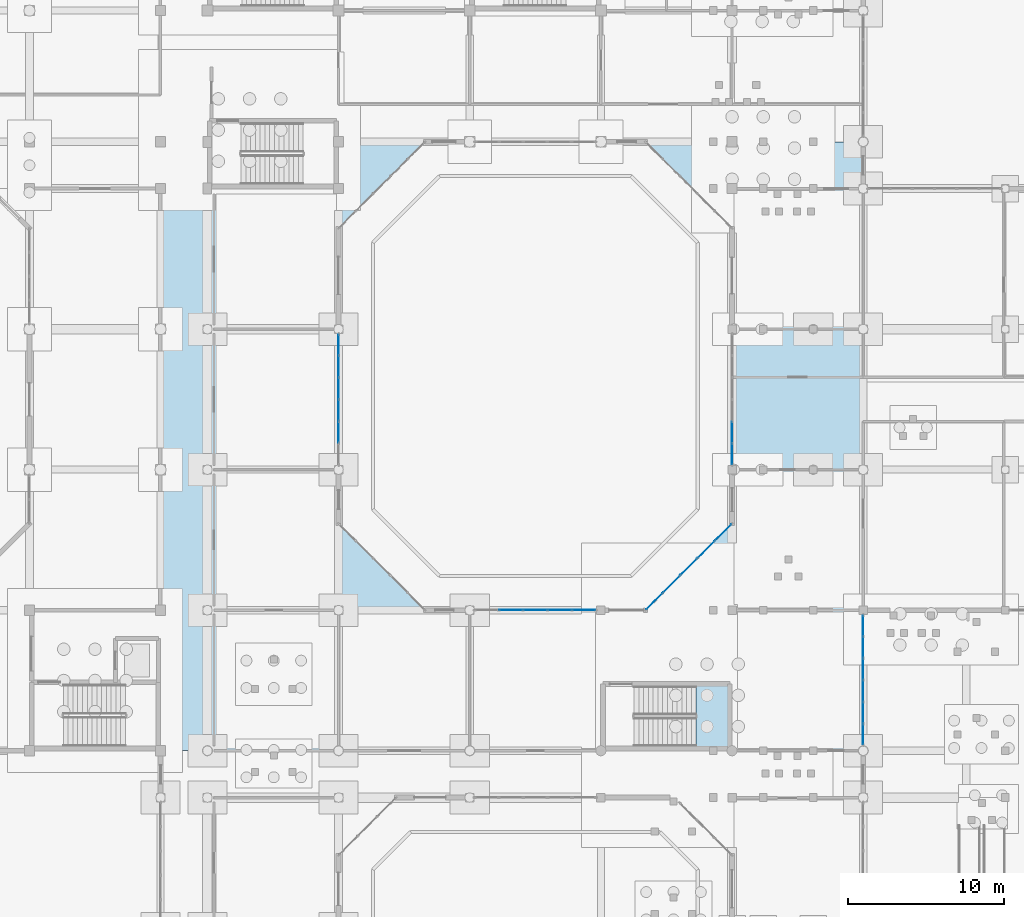
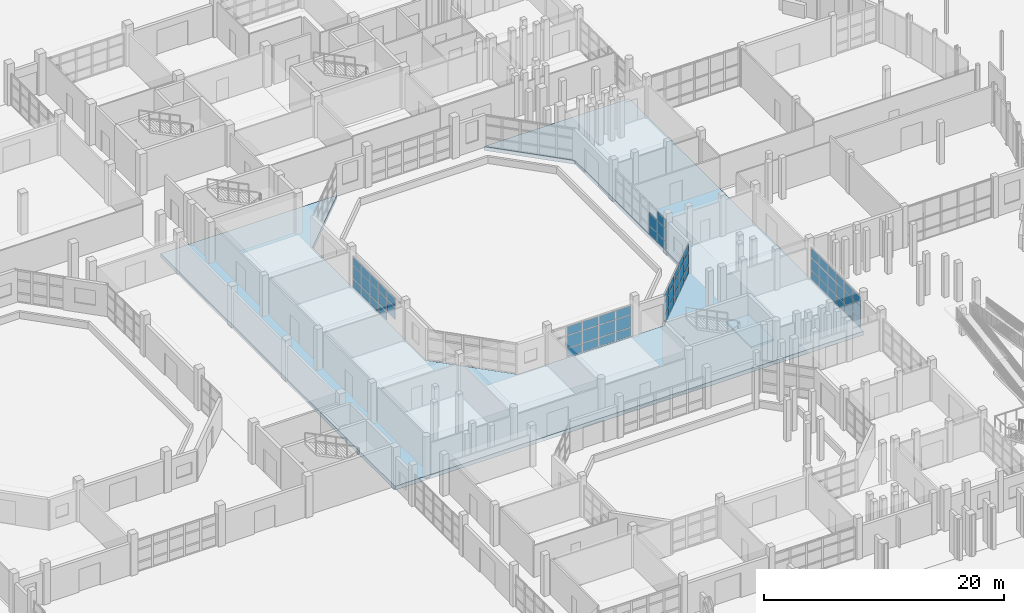
# One storey, part 47 of 88: 64 plates, 2 slabs, 6 elements without a shape of their own.
"""IFC4 building model written with IfcOpenShell, lengths in metres."""

from ifc_helpers import new_model, si_unit, direction, frame, origin, origin_2d, place, context, subcontext, project, spatial, polyline, rectangle, outline, extrude, material, layer, layer_set, type_object, element, aggregate, save


model = new_model("IFC4")

# Units and contexts
model_context = context("Model", 3, precision=1e-05, world=origin(), true_north=direction((0.0, 1.0)))
body_context = subcontext(model_context, "Body", "Model", "MODEL_VIEW")
ifc_project = project(units=[si_unit("LENGTHUNIT", "METRE"), si_unit("AREAUNIT", "SQUARE_METRE"), si_unit("VOLUMEUNIT", "CUBIC_METRE"), si_unit("PLANEANGLEUNIT", "RADIAN"), si_unit("MASSUNIT", "GRAM", prefix="KILO")], contexts=[model_context])

# Site, building, storey
site_placement = place(None, origin())
site = spatial("IfcSite", under=ifc_project, at=site_placement, CompositionType="ELEMENT")
building_placement = place(site_placement, origin())
building = spatial("IfcBuilding", under=site, at=building_placement, Name="Vanh Quang Courtyard School", CompositionType="ELEMENT")
storey_placement = place(building_placement, origin())
storey = spatial("IfcBuildingStorey", under=building, at=storey_placement, Name="L00", CompositionType="ELEMENT", Elevation=0.0)

# Curtain wall, plates
ifc_material_1 = material(Name="Thermally broken aluminium unitised curtain wall", Category="aluminium")
curtain_wall_type_1 = type_object("IfcCurtainWallType", Name="CW-SYS-06", PredefinedType="NOTDEFINED", material=ifc_material_1)
curtain_wall_1_placement = place(storey_placement, origin())
curtain_wall_1 = element("IfcCurtainWall", 1, at=curtain_wall_1_placement, inside=storey, type_object=curtain_wall_type_1, Name="Curtain Wall CW-06 (L00)", PredefinedType="NOTDEFINED")
ifc_material_2 = material(Name="Low-E laminated double glazing", Category="glass")
ifc_layer_1 = layer(ifc_material_2, 0.028076171875)
ifc_layer_set_1 = layer_set([ifc_layer_1], Name="Low-E laminated double glazing")
plate_type_1 = type_object("IfcPlateType", Name="CW-PNL-28", PredefinedType="CURTAIN_PANEL", material=ifc_layer_set_1)
plate_1_placement = place(storey_placement, frame((119.39990234375, 40.40087890625, 0.06982421875), z_axis=(0.0, 0.0, 1.0), x_axis=(0.0, -1.0, 0.0)))
plate_1 = element("IfcPlate", 2, at=plate_1_placement, type_object=plate_type_1, Name="CW-06 panel 1.1", PredefinedType="CURTAIN_PANEL", context=body_context, shape_type="SweptSolid", body=[
    extrude(rectangle(XDim=1.292236328125, YDim=0.028076171875, at=origin_2d()), origin(), (0.0, 0.0, 1.0), 0.844970703125),
])
plate_2_placement = place(storey_placement, frame((119.39990234375, 40.40087890625, 0.985107421875), z_axis=(0.0, 0.0, 1.0), x_axis=(0.0, -1.0, 0.0)))
plate_2 = element("IfcPlate", 3, at=plate_2_placement, type_object=plate_type_1, Name="CW-06 panel 1.2", PredefinedType="CURTAIN_PANEL", context=body_context, shape_type="SweptSolid", body=[
    extrude(rectangle(XDim=1.292236328125, YDim=0.028076171875, at=origin_2d()), origin(), (0.0, 0.0, 1.0), 1.22998046875),
])
plate_3_placement = place(storey_placement, frame((119.39990234375, 40.40087890625, 2.28515625), z_axis=(0.0, 0.0, 1.0), x_axis=(0.0, -1.0, 0.0)))
plate_3 = element("IfcPlate", 4, at=plate_3_placement, type_object=plate_type_1, Name="CW-06 panel 1.3", PredefinedType="CURTAIN_PANEL", context=body_context, shape_type="SweptSolid", body=[
    extrude(rectangle(XDim=1.292236328125, YDim=0.028076171875, at=origin_2d()), origin(), (0.0, 0.0, 1.0), 0.925048828125),
])
plate_4_placement = place(storey_placement, frame((119.39990234375, 39.02099609375, 0.06982421875), z_axis=(0.0, 0.0, 1.0), x_axis=(0.0, -1.0, 0.0)))
plate_4 = element("IfcPlate", 5, at=plate_4_placement, type_object=plate_type_1, Name="CW-06 panel 2.1", PredefinedType="CURTAIN_PANEL", context=body_context, shape_type="SweptSolid", body=[
    extrude(rectangle(XDim=1.327392578125, YDim=0.028076171875, at=origin_2d()), origin(), (0.0, 0.0, 1.0), 0.844970703125),
])
plate_5_placement = place(storey_placement, frame((119.39990234375, 39.02099609375, 0.985107421875), z_axis=(0.0, 0.0, 1.0), x_axis=(0.0, -1.0, 0.0)))
plate_5 = element("IfcPlate", 6, at=plate_5_placement, type_object=plate_type_1, Name="CW-06 panel 2.2", PredefinedType="CURTAIN_PANEL", context=body_context, shape_type="SweptSolid", body=[
    extrude(rectangle(XDim=1.327392578125, YDim=0.028076171875, at=origin_2d()), origin(), (0.0, 0.0, 1.0), 1.22998046875),
])
plate_6_placement = place(storey_placement, frame((119.39990234375, 39.02099609375, 2.28515625), z_axis=(0.0, 0.0, 1.0), x_axis=(0.0, -1.0, 0.0)))
plate_6 = element("IfcPlate", 7, at=plate_6_placement, type_object=plate_type_1, Name="CW-06 panel 2.3", PredefinedType="CURTAIN_PANEL", context=body_context, shape_type="SweptSolid", body=[
    extrude(rectangle(XDim=1.327392578125, YDim=0.028076171875, at=origin_2d()), origin(), (0.0, 0.0, 1.0), 0.925048828125),
])
plate_7_placement = place(storey_placement, frame((119.39990234375, 37.623779296875, 0.06982421875), z_axis=(0.0, 0.0, 1.0), x_axis=(0.0, -1.0, 0.0)))
plate_7 = element("IfcPlate", 8, at=plate_7_placement, type_object=plate_type_1, Name="CW-06 panel 3.1", PredefinedType="CURTAIN_PANEL", context=body_context, shape_type="SweptSolid", body=[
    extrude(rectangle(XDim=1.327392578125, YDim=0.028076171875, at=origin_2d()), origin(), (0.0, 0.0, 1.0), 0.844970703125),
])
plate_8_placement = place(storey_placement, frame((119.39990234375, 37.623779296875, 0.985107421875), z_axis=(0.0, 0.0, 1.0), x_axis=(0.0, -1.0, 0.0)))
plate_8 = element("IfcPlate", 9, at=plate_8_placement, type_object=plate_type_1, Name="CW-06 panel 3.2", PredefinedType="CURTAIN_PANEL", context=body_context, shape_type="SweptSolid", body=[
    extrude(rectangle(XDim=1.327392578125, YDim=0.028076171875, at=origin_2d()), origin(), (0.0, 0.0, 1.0), 1.22998046875),
])
plate_9_placement = place(storey_placement, frame((119.39990234375, 37.623779296875, 2.28515625), z_axis=(0.0, 0.0, 1.0), x_axis=(0.0, -1.0, 0.0)))
plate_9 = element("IfcPlate", 10, at=plate_9_placement, type_object=plate_type_1, Name="CW-06 panel 3.3", PredefinedType="CURTAIN_PANEL", context=body_context, shape_type="SweptSolid", body=[
    extrude(rectangle(XDim=1.327392578125, YDim=0.028076171875, at=origin_2d()), origin(), (0.0, 0.0, 1.0), 0.925048828125),
])
plate_10_placement = place(storey_placement, frame((119.39990234375, 36.226318359375, 0.06982421875), z_axis=(0.0, 0.0, 1.0), x_axis=(0.0, -1.0, 0.0)))
plate_10 = element("IfcPlate", 11, at=plate_10_placement, type_object=plate_type_1, Name="CW-06 panel 4.1", PredefinedType="CURTAIN_PANEL", context=body_context, shape_type="SweptSolid", body=[
    extrude(rectangle(XDim=1.327392578125, YDim=0.028076171875, at=origin_2d()), origin(), (0.0, 0.0, 1.0), 0.844970703125),
])
plate_11_placement = place(storey_placement, frame((119.39990234375, 36.226318359375, 0.985107421875), z_axis=(0.0, 0.0, 1.0), x_axis=(0.0, -1.0, 0.0)))
plate_11 = element("IfcPlate", 12, at=plate_11_placement, type_object=plate_type_1, Name="CW-06 panel 4.2", PredefinedType="CURTAIN_PANEL", context=body_context, shape_type="SweptSolid", body=[
    extrude(rectangle(XDim=1.327392578125, YDim=0.028076171875, at=origin_2d()), origin(), (0.0, 0.0, 1.0), 1.22998046875),
])
plate_12_placement = place(storey_placement, frame((119.39990234375, 36.226318359375, 2.28515625), z_axis=(0.0, 0.0, 1.0), x_axis=(0.0, -1.0, 0.0)))
plate_12 = element("IfcPlate", 13, at=plate_12_placement, type_object=plate_type_1, Name="CW-06 panel 4.3", PredefinedType="CURTAIN_PANEL", context=body_context, shape_type="SweptSolid", body=[
    extrude(rectangle(XDim=1.327392578125, YDim=0.028076171875, at=origin_2d()), origin(), (0.0, 0.0, 1.0), 0.925048828125),
])
plate_13_placement = place(storey_placement, frame((119.39990234375, 34.8291015625, 0.06982421875), z_axis=(0.0, 0.0, 1.0), x_axis=(0.0, -1.0, 0.0)))
plate_13 = element("IfcPlate", 14, at=plate_13_placement, type_object=plate_type_1, Name="CW-06 panel 5.1", PredefinedType="CURTAIN_PANEL", context=body_context, shape_type="SweptSolid", body=[
    extrude(rectangle(XDim=1.327392578125, YDim=0.028076171875, at=origin_2d()), origin(), (0.0, 0.0, 1.0), 0.844970703125),
])
plate_14_placement = place(storey_placement, frame((119.39990234375, 34.8291015625, 0.985107421875), z_axis=(0.0, 0.0, 1.0), x_axis=(0.0, -1.0, 0.0)))
plate_14 = element("IfcPlate", 15, at=plate_14_placement, type_object=plate_type_1, Name="CW-06 panel 5.2", PredefinedType="CURTAIN_PANEL", context=body_context, shape_type="SweptSolid", body=[
    extrude(rectangle(XDim=1.327392578125, YDim=0.028076171875, at=origin_2d()), origin(), (0.0, 0.0, 1.0), 1.22998046875),
])
plate_15_placement = place(storey_placement, frame((119.39990234375, 34.8291015625, 2.28515625), z_axis=(0.0, 0.0, 1.0), x_axis=(0.0, -1.0, 0.0)))
plate_15 = element("IfcPlate", 16, at=plate_15_placement, type_object=plate_type_1, Name="CW-06 panel 5.3", PredefinedType="CURTAIN_PANEL", context=body_context, shape_type="SweptSolid", body=[
    extrude(rectangle(XDim=1.327392578125, YDim=0.028076171875, at=origin_2d()), origin(), (0.0, 0.0, 1.0), 0.925048828125),
])
plate_16_placement = place(storey_placement, frame((119.39990234375, 33.44921875, 0.06982421875), z_axis=(0.0, 0.0, 1.0), x_axis=(0.0, -1.0, 0.0)))
plate_16 = element("IfcPlate", 17, at=plate_16_placement, type_object=plate_type_1, Name="CW-06 panel 6.1", PredefinedType="CURTAIN_PANEL", context=body_context, shape_type="SweptSolid", body=[
    extrude(rectangle(XDim=1.292236328125, YDim=0.028076171875, at=origin_2d()), origin(), (0.0, 0.0, 1.0), 0.844970703125),
])
plate_17_placement = place(storey_placement, frame((119.39990234375, 33.44921875, 0.985107421875), z_axis=(0.0, 0.0, 1.0), x_axis=(0.0, -1.0, 0.0)))
plate_17 = element("IfcPlate", 18, at=plate_17_placement, type_object=plate_type_1, Name="CW-06 panel 6.2", PredefinedType="CURTAIN_PANEL", context=body_context, shape_type="SweptSolid", body=[
    extrude(rectangle(XDim=1.292236328125, YDim=0.028076171875, at=origin_2d()), origin(), (0.0, 0.0, 1.0), 1.22998046875),
])
plate_18_placement = place(storey_placement, frame((119.39990234375, 33.44921875, 2.28515625), z_axis=(0.0, 0.0, 1.0), x_axis=(0.0, -1.0, 0.0)))
plate_18 = element("IfcPlate", 19, at=plate_18_placement, type_object=plate_type_1, Name="CW-06 panel 6.3", PredefinedType="CURTAIN_PANEL", context=body_context, shape_type="SweptSolid", body=[
    extrude(rectangle(XDim=1.292236328125, YDim=0.028076171875, at=origin_2d()), origin(), (0.0, 0.0, 1.0), 0.925048828125),
])
aggregate(curtain_wall_1, [plate_1, plate_2, plate_3, plate_4, plate_5, plate_6, plate_7, plate_8, plate_9, plate_10, plate_11, plate_12, plate_13, plate_14, plate_15, plate_16, plate_17, plate_18])

curtain_wall_type_2 = type_object("IfcCurtainWallType", Name="CW-SYS-17", PredefinedType="NOTDEFINED", material=ifc_material_1)
curtain_wall_2_placement = place(storey_placement, origin())
curtain_wall_2 = element("IfcCurtainWall", 20, at=curtain_wall_2_placement, inside=storey, type_object=curtain_wall_type_2, Name="Curtain Wall CW-17 (L00)", PredefinedType="NOTDEFINED")
plate_19_placement = place(storey_placement, frame((106.024658203125, 41.968505859375, 0.080078125), z_axis=(0.0, 0.0, 1.0), x_axis=(0.707106781187, 0.707106781187, 0.0)))
plate_19 = element("IfcPlate", 21, at=plate_19_placement, type_object=plate_type_1, Name="CW-17 panel 1.1", PredefinedType="CURTAIN_PANEL", context=body_context, shape_type="SweptSolid", body=[
    extrude(rectangle(XDim=1.447998046875, YDim=0.028076171875, at=origin_2d()), origin(), (0.0, 0.0, 1.0), 0.830078125),
])
plate_20_placement = place(storey_placement, frame((106.024658203125, 41.968505859375, 0.990234375), z_axis=(0.0, 0.0, 1.0), x_axis=(0.707106781187, 0.707106781187, 0.0)))
plate_20 = element("IfcPlate", 22, at=plate_20_placement, type_object=plate_type_1, Name="CW-17 panel 1.2", PredefinedType="CURTAIN_PANEL", context=body_context, shape_type="SweptSolid", body=[
    extrude(rectangle(XDim=1.447998046875, YDim=0.028076171875, at=origin_2d()), origin(), (0.0, 0.0, 1.0), 1.219970703125),
])
plate_21_placement = place(storey_placement, frame((106.024658203125, 41.968505859375, 2.2900390625), z_axis=(0.0, 0.0, 1.0), x_axis=(0.707106781187, 0.707106781187, 0.0)))
plate_21 = element("IfcPlate", 23, at=plate_21_placement, type_object=plate_type_1, Name="CW-17 panel 1.3", PredefinedType="CURTAIN_PANEL", context=body_context, shape_type="SweptSolid", body=[
    extrude(rectangle(XDim=1.447998046875, YDim=0.028076171875, at=origin_2d()), origin(), (0.0, 0.0, 1.0), 0.75),
])
plate_22_placement = place(storey_placement, frame((107.119140625, 43.063232421875, 0.080078125), z_axis=(0.0, 0.0, 1.0), x_axis=(0.707106781187, 0.707106781187, 0.0)))
plate_22 = element("IfcPlate", 24, at=plate_22_placement, type_object=plate_type_1, Name="CW-17 panel 2.1", PredefinedType="CURTAIN_PANEL", context=body_context, shape_type="SweptSolid", body=[
    extrude(rectangle(XDim=1.488037109375, YDim=0.028076171875, at=origin_2d()), origin(), (0.0, 0.0, 1.0), 0.830078125),
])
plate_23_placement = place(storey_placement, frame((107.119140625, 43.063232421875, 0.990234375), z_axis=(0.0, 0.0, 1.0), x_axis=(0.707106781187, 0.707106781187, 0.0)))
plate_23 = element("IfcPlate", 25, at=plate_23_placement, type_object=plate_type_1, Name="CW-17 panel 2.2", PredefinedType="CURTAIN_PANEL", context=body_context, shape_type="SweptSolid", body=[
    extrude(rectangle(XDim=1.488037109375, YDim=0.028076171875, at=origin_2d()), origin(), (0.0, 0.0, 1.0), 1.219970703125),
])
plate_24_placement = place(storey_placement, frame((107.119140625, 43.063232421875, 2.2900390625), z_axis=(0.0, 0.0, 1.0), x_axis=(0.707106781187, 0.707106781187, 0.0)))
plate_24 = element("IfcPlate", 26, at=plate_24_placement, type_object=plate_type_1, Name="CW-17 panel 2.3", PredefinedType="CURTAIN_PANEL", context=body_context, shape_type="SweptSolid", body=[
    extrude(rectangle(XDim=1.488037109375, YDim=0.028076171875, at=origin_2d()), origin(), (0.0, 0.0, 1.0), 0.75),
])
plate_25_placement = place(storey_placement, frame((108.22802734375, 44.172119140625, 0.080078125), z_axis=(0.0, 0.0, 1.0), x_axis=(0.707106781187, 0.707106781187, 0.0)))
plate_25 = element("IfcPlate", 27, at=plate_25_placement, type_object=plate_type_1, Name="CW-17 panel 3.1", PredefinedType="CURTAIN_PANEL", context=body_context, shape_type="SweptSolid", body=[
    extrude(rectangle(XDim=1.488037109375, YDim=0.028076171875, at=origin_2d()), origin(), (0.0, 0.0, 1.0), 0.830078125),
])
plate_26_placement = place(storey_placement, frame((108.22802734375, 44.172119140625, 0.990234375), z_axis=(0.0, 0.0, 1.0), x_axis=(0.707106781187, 0.707106781187, 0.0)))
plate_26 = element("IfcPlate", 28, at=plate_26_placement, type_object=plate_type_1, Name="CW-17 panel 3.2", PredefinedType="CURTAIN_PANEL", context=body_context, shape_type="SweptSolid", body=[
    extrude(rectangle(XDim=1.488037109375, YDim=0.028076171875, at=origin_2d()), origin(), (0.0, 0.0, 1.0), 1.219970703125),
])
plate_27_placement = place(storey_placement, frame((108.22802734375, 44.172119140625, 2.2900390625), z_axis=(0.0, 0.0, 1.0), x_axis=(0.707106781187, 0.707106781187, 0.0)))
plate_27 = element("IfcPlate", 29, at=plate_27_placement, type_object=plate_type_1, Name="CW-17 panel 3.3", PredefinedType="CURTAIN_PANEL", context=body_context, shape_type="SweptSolid", body=[
    extrude(rectangle(XDim=1.488037109375, YDim=0.028076171875, at=origin_2d()), origin(), (0.0, 0.0, 1.0), 0.75),
])
plate_28_placement = place(storey_placement, frame((109.3369140625, 45.28076171875, 0.080078125), z_axis=(0.0, 0.0, 1.0), x_axis=(0.707106781187, 0.707106781187, 0.0)))
plate_28 = element("IfcPlate", 30, at=plate_28_placement, type_object=plate_type_1, Name="CW-17 panel 4.1", PredefinedType="CURTAIN_PANEL", context=body_context, shape_type="SweptSolid", body=[
    extrude(rectangle(XDim=1.488037109375, YDim=0.028076171875, at=origin_2d()), origin(), (0.0, 0.0, 1.0), 0.830078125),
])
plate_29_placement = place(storey_placement, frame((109.3369140625, 45.28076171875, 0.990234375), z_axis=(0.0, 0.0, 1.0), x_axis=(0.707106781187, 0.707106781187, 0.0)))
plate_29 = element("IfcPlate", 31, at=plate_29_placement, type_object=plate_type_1, Name="CW-17 panel 4.2", PredefinedType="CURTAIN_PANEL", context=body_context, shape_type="SweptSolid", body=[
    extrude(rectangle(XDim=1.488037109375, YDim=0.028076171875, at=origin_2d()), origin(), (0.0, 0.0, 1.0), 1.219970703125),
])
plate_30_placement = place(storey_placement, frame((109.3369140625, 45.28076171875, 2.2900390625), z_axis=(0.0, 0.0, 1.0), x_axis=(0.707106781187, 0.707106781187, 0.0)))
plate_30 = element("IfcPlate", 32, at=plate_30_placement, type_object=plate_type_1, Name="CW-17 panel 4.3", PredefinedType="CURTAIN_PANEL", context=body_context, shape_type="SweptSolid", body=[
    extrude(rectangle(XDim=1.488037109375, YDim=0.028076171875, at=origin_2d()), origin(), (0.0, 0.0, 1.0), 0.75),
])
plate_31_placement = place(storey_placement, frame((110.431396484375, 46.37548828125, 0.080078125), z_axis=(0.0, 0.0, 1.0), x_axis=(0.707106781187, 0.707106781187, 0.0)))
plate_31 = element("IfcPlate", 33, at=plate_31_placement, type_object=plate_type_1, Name="CW-17 panel 5.1", PredefinedType="CURTAIN_PANEL", context=body_context, shape_type="SweptSolid", body=[
    extrude(rectangle(XDim=1.447998046875, YDim=0.028076171875, at=origin_2d()), origin(), (0.0, 0.0, 1.0), 0.830078125),
])
plate_32_placement = place(storey_placement, frame((110.431396484375, 46.37548828125, 0.990234375), z_axis=(0.0, 0.0, 1.0), x_axis=(0.707106781187, 0.707106781187, 0.0)))
plate_32 = element("IfcPlate", 34, at=plate_32_placement, type_object=plate_type_1, Name="CW-17 panel 5.2", PredefinedType="CURTAIN_PANEL", context=body_context, shape_type="SweptSolid", body=[
    extrude(rectangle(XDim=1.447998046875, YDim=0.028076171875, at=origin_2d()), origin(), (0.0, 0.0, 1.0), 1.219970703125),
])
plate_33_placement = place(storey_placement, frame((110.431396484375, 46.37548828125, 2.2900390625), z_axis=(0.0, 0.0, 1.0), x_axis=(0.707106781187, 0.707106781187, 0.0)))
plate_33 = element("IfcPlate", 35, at=plate_33_placement, type_object=plate_type_1, Name="CW-17 panel 5.3", PredefinedType="CURTAIN_PANEL", context=body_context, shape_type="SweptSolid", body=[
    extrude(rectangle(XDim=1.447998046875, YDim=0.028076171875, at=origin_2d()), origin(), (0.0, 0.0, 1.0), 0.75),
])
aggregate(curtain_wall_2, [plate_19, plate_20, plate_21, plate_22, plate_23, plate_24, plate_25, plate_26, plate_27, plate_28, plate_29, plate_30, plate_31, plate_32, plate_33])

curtain_wall_type_3 = type_object("IfcCurtainWallType", Name="CW-SYS-01", PredefinedType="NOTDEFINED", material=ifc_material_1)
curtain_wall_3_placement = place(storey_placement, origin())
curtain_wall_3 = element("IfcCurtainWall", 36, at=curtain_wall_3_placement, inside=storey, type_object=curtain_wall_type_3, Name="Curtain Wall CW-01 (L00)", PredefinedType="NOTDEFINED")
ifc_layer_2 = layer(ifc_material_2, 0.031982421875)
ifc_layer_set_2 = layer_set([ifc_layer_2], Name="Low-E laminated double glazing")
plate_type_2 = type_object("IfcPlateType", Name="CW-PNL-32", PredefinedType="CURTAIN_PANEL", material=ifc_layer_set_2)
plate_34_placement = place(storey_placement, frame((96.833251953125, 41.39990234375, 0.06982421875), z_axis=(0.0, 0.0, 1.0), x_axis=(1.0, 0.0, 0.0)))
plate_34 = element("IfcPlate", 37, at=plate_34_placement, type_object=plate_type_2, Name="CW-01 panel 2.1", PredefinedType="CURTAIN_PANEL", context=body_context, shape_type="SweptSolid", body=[
    extrude(rectangle(XDim=1.496826171875, YDim=0.031982421875, at=origin_2d()), origin(), (0.0, 0.0, 1.0), 0.844970703125),
])
plate_35_placement = place(storey_placement, frame((96.833251953125, 41.39990234375, 0.985107421875), z_axis=(0.0, 0.0, 1.0), x_axis=(1.0, 0.0, 0.0)))
plate_35 = element("IfcPlate", 38, at=plate_35_placement, type_object=plate_type_2, Name="CW-01 panel 2.2", PredefinedType="CURTAIN_PANEL", context=body_context, shape_type="SweptSolid", body=[
    extrude(rectangle(XDim=1.496826171875, YDim=0.031982421875, at=origin_2d()), origin(), (0.0, 0.0, 1.0), 1.22998046875),
])
plate_36_placement = place(storey_placement, frame((96.833251953125, 41.39990234375, 2.28515625), z_axis=(0.0, 0.0, 1.0), x_axis=(1.0, 0.0, 0.0)))
plate_36 = element("IfcPlate", 39, at=plate_36_placement, type_object=plate_type_2, Name="CW-01 panel 2.3", PredefinedType="CURTAIN_PANEL", context=body_context, shape_type="SweptSolid", body=[
    extrude(rectangle(XDim=1.496826171875, YDim=0.031982421875, at=origin_2d()), origin(), (0.0, 0.0, 1.0), 0.864990234375),
])
plate_37_placement = place(storey_placement, frame((98.39990234375, 41.39990234375, 0.06982421875), z_axis=(0.0, 0.0, 1.0), x_axis=(1.0, 0.0, 0.0)))
plate_37 = element("IfcPlate", 40, at=plate_37_placement, type_object=plate_type_2, Name="CW-01 panel 3.1", PredefinedType="CURTAIN_PANEL", context=body_context, shape_type="SweptSolid", body=[
    extrude(rectangle(XDim=1.496826171875, YDim=0.031982421875, at=origin_2d()), origin(), (0.0, 0.0, 1.0), 0.844970703125),
])
plate_38_placement = place(storey_placement, frame((98.39990234375, 41.39990234375, 0.985107421875), z_axis=(0.0, 0.0, 1.0), x_axis=(1.0, 0.0, 0.0)))
plate_38 = element("IfcPlate", 41, at=plate_38_placement, type_object=plate_type_2, Name="CW-01 panel 3.2", PredefinedType="CURTAIN_PANEL", context=body_context, shape_type="SweptSolid", body=[
    extrude(rectangle(XDim=1.496826171875, YDim=0.031982421875, at=origin_2d()), origin(), (0.0, 0.0, 1.0), 1.22998046875),
])
plate_39_placement = place(storey_placement, frame((98.39990234375, 41.39990234375, 2.28515625), z_axis=(0.0, 0.0, 1.0), x_axis=(1.0, 0.0, 0.0)))
plate_39 = element("IfcPlate", 42, at=plate_39_placement, type_object=plate_type_2, Name="CW-01 panel 3.3", PredefinedType="CURTAIN_PANEL", context=body_context, shape_type="SweptSolid", body=[
    extrude(rectangle(XDim=1.496826171875, YDim=0.031982421875, at=origin_2d()), origin(), (0.0, 0.0, 1.0), 0.864990234375),
])
plate_40_placement = place(storey_placement, frame((99.966796875, 41.39990234375, 0.06982421875), z_axis=(0.0, 0.0, 1.0), x_axis=(1.0, 0.0, 0.0)))
plate_40 = element("IfcPlate", 43, at=plate_40_placement, type_object=plate_type_2, Name="CW-01 panel 4.1", PredefinedType="CURTAIN_PANEL", context=body_context, shape_type="SweptSolid", body=[
    extrude(rectangle(XDim=1.496826171875, YDim=0.031982421875, at=origin_2d()), origin(), (0.0, 0.0, 1.0), 0.844970703125),
])
plate_41_placement = place(storey_placement, frame((99.966796875, 41.39990234375, 0.985107421875), z_axis=(0.0, 0.0, 1.0), x_axis=(1.0, 0.0, 0.0)))
plate_41 = element("IfcPlate", 44, at=plate_41_placement, type_object=plate_type_2, Name="CW-01 panel 4.2", PredefinedType="CURTAIN_PANEL", context=body_context, shape_type="SweptSolid", body=[
    extrude(rectangle(XDim=1.496826171875, YDim=0.031982421875, at=origin_2d()), origin(), (0.0, 0.0, 1.0), 1.22998046875),
])
plate_42_placement = place(storey_placement, frame((99.966796875, 41.39990234375, 2.28515625), z_axis=(0.0, 0.0, 1.0), x_axis=(1.0, 0.0, 0.0)))
plate_42 = element("IfcPlate", 45, at=plate_42_placement, type_object=plate_type_2, Name="CW-01 panel 4.3", PredefinedType="CURTAIN_PANEL", context=body_context, shape_type="SweptSolid", body=[
    extrude(rectangle(XDim=1.496826171875, YDim=0.031982421875, at=origin_2d()), origin(), (0.0, 0.0, 1.0), 0.864990234375),
])
plate_43_placement = place(storey_placement, frame((101.51611328125, 41.39990234375, 0.06982421875), z_axis=(0.0, 0.0, 1.0), x_axis=(1.0, 0.0, 0.0)))
plate_43 = element("IfcPlate", 46, at=plate_43_placement, type_object=plate_type_2, Name="CW-01 panel 5.1", PredefinedType="CURTAIN_PANEL", context=body_context, shape_type="SweptSolid", body=[
    extrude(rectangle(XDim=1.4619140625, YDim=0.031982421875, at=origin_2d()), origin(), (0.0, 0.0, 1.0), 0.844970703125),
])
plate_44_placement = place(storey_placement, frame((101.51611328125, 41.39990234375, 0.985107421875), z_axis=(0.0, 0.0, 1.0), x_axis=(1.0, 0.0, 0.0)))
plate_44 = element("IfcPlate", 47, at=plate_44_placement, type_object=plate_type_2, Name="CW-01 panel 5.2", PredefinedType="CURTAIN_PANEL", context=body_context, shape_type="SweptSolid", body=[
    extrude(rectangle(XDim=1.4619140625, YDim=0.031982421875, at=origin_2d()), origin(), (0.0, 0.0, 1.0), 1.22998046875),
])
plate_45_placement = place(storey_placement, frame((101.51611328125, 41.39990234375, 2.28515625), z_axis=(0.0, 0.0, 1.0), x_axis=(1.0, 0.0, 0.0)))
plate_45 = element("IfcPlate", 48, at=plate_45_placement, type_object=plate_type_2, Name="CW-01 panel 5.3", PredefinedType="CURTAIN_PANEL", context=body_context, shape_type="SweptSolid", body=[
    extrude(rectangle(XDim=1.4619140625, YDim=0.031982421875, at=origin_2d()), origin(), (0.0, 0.0, 1.0), 0.864990234375),
])
aggregate(curtain_wall_3, [plate_34, plate_35, plate_36, plate_37, plate_38, plate_39, plate_40, plate_41, plate_42, plate_43, plate_44, plate_45])

curtain_wall_type_4 = type_object("IfcCurtainWallType", Name="CW-SYS-18", PredefinedType="NOTDEFINED", material=ifc_material_1)
curtain_wall_4_placement = place(storey_placement, origin())
curtain_wall_4 = element("IfcCurtainWall", 49, at=curtain_wall_4_placement, inside=storey, type_object=curtain_wall_type_4, Name="Curtain Wall CW-18 (L00)", PredefinedType="NOTDEFINED")
plate_46_placement = place(storey_placement, frame((111.0, 51.40087890625, 0.06005859375), z_axis=(0.0, 0.0, 1.0), x_axis=(0.0, 1.0, 0.0)))
plate_46 = element("IfcPlate", 50, at=plate_46_placement, type_object=plate_type_2, Name="CW-18 panel 1.1", PredefinedType="CURTAIN_PANEL", context=body_context, shape_type="SweptSolid", body=[
    extrude(rectangle(XDim=1.315673828125, YDim=0.031982421875, at=origin_2d()), origin(), (0.0, 0.0, 1.0), 0.860107421875),
])
plate_47_placement = place(storey_placement, frame((111.0, 51.40087890625, 0.97998046875), z_axis=(0.0, 0.0, 1.0), x_axis=(0.0, 1.0, 0.0)))
plate_47 = element("IfcPlate", 51, at=plate_47_placement, type_object=plate_type_2, Name="CW-18 panel 1.2", PredefinedType="CURTAIN_PANEL", context=body_context, shape_type="SweptSolid", body=[
    extrude(rectangle(XDim=1.315673828125, YDim=0.031982421875, at=origin_2d()), origin(), (0.0, 0.0, 1.0), 1.239990234375),
])
plate_48_placement = place(storey_placement, frame((111.0, 51.40087890625, 2.280029296875), z_axis=(0.0, 0.0, 1.0), x_axis=(0.0, 1.0, 0.0)))
plate_48 = element("IfcPlate", 52, at=plate_48_placement, type_object=plate_type_2, Name="CW-18 panel 1.3", PredefinedType="CURTAIN_PANEL", context=body_context, shape_type="SweptSolid", body=[
    extrude(rectangle(XDim=1.315673828125, YDim=0.031982421875, at=origin_2d()), origin(), (0.0, 0.0, 1.0), 0.8798828125),
])
plate_49_placement = place(storey_placement, frame((111.0, 52.79150390625, 0.06005859375), z_axis=(0.0, 0.0, 1.0), x_axis=(0.0, 1.0, 0.0)))
plate_49 = element("IfcPlate", 53, at=plate_49_placement, type_object=plate_type_2, Name="CW-18 panel 2.1", PredefinedType="CURTAIN_PANEL", context=body_context, shape_type="SweptSolid", body=[
    extrude(rectangle(XDim=1.345703125, YDim=0.031982421875, at=origin_2d()), origin(), (0.0, 0.0, 1.0), 0.860107421875),
])
plate_50_placement = place(storey_placement, frame((111.0, 52.79150390625, 0.97998046875), z_axis=(0.0, 0.0, 1.0), x_axis=(0.0, 1.0, 0.0)))
plate_50 = element("IfcPlate", 54, at=plate_50_placement, type_object=plate_type_2, Name="CW-18 panel 2.2", PredefinedType="CURTAIN_PANEL", context=body_context, shape_type="SweptSolid", body=[
    extrude(rectangle(XDim=1.345703125, YDim=0.031982421875, at=origin_2d()), origin(), (0.0, 0.0, 1.0), 1.239990234375),
])
aggregate(curtain_wall_4, [plate_46, plate_47, plate_48, plate_49, plate_50])

curtain_wall_5_placement = place(storey_placement, origin())
curtain_wall_5 = element("IfcCurtainWall", 55, at=curtain_wall_5_placement, inside=storey, type_object=curtain_wall_type_4, Name="Curtain Wall CW-18 (L00)", PredefinedType="NOTDEFINED")
plate_51_placement = place(storey_placement, frame((85.800048828125, 58.396728515625, 0.06982421875), z_axis=(0.0, 0.0, 1.0), x_axis=(0.0, -1.0, 0.0)))
plate_51 = element("IfcPlate", 56, at=plate_51_placement, type_object=plate_type_2, Name="CW-18 panel 1.1", PredefinedType="CURTAIN_PANEL", context=body_context, shape_type="SweptSolid", body=[
    extrude(rectangle(XDim=1.30078125, YDim=0.031982421875, at=origin_2d()), origin(), (0.0, 0.0, 1.0), 0.844970703125),
])
plate_52_placement = place(storey_placement, frame((85.800048828125, 58.396728515625, 0.985107421875), z_axis=(0.0, 0.0, 1.0), x_axis=(0.0, -1.0, 0.0)))
plate_52 = element("IfcPlate", 57, at=plate_52_placement, type_object=plate_type_2, Name="CW-18 panel 1.2", PredefinedType="CURTAIN_PANEL", context=body_context, shape_type="SweptSolid", body=[
    extrude(rectangle(XDim=1.30078125, YDim=0.031982421875, at=origin_2d()), origin(), (0.0, 0.0, 1.0), 1.22998046875),
])
plate_53_placement = place(storey_placement, frame((85.800048828125, 58.396728515625, 2.28515625), z_axis=(0.0, 0.0, 1.0), x_axis=(0.0, -1.0, 0.0)))
plate_53 = element("IfcPlate", 58, at=plate_53_placement, type_object=plate_type_2, Name="CW-18 panel 1.3", PredefinedType="CURTAIN_PANEL", context=body_context, shape_type="SweptSolid", body=[
    extrude(rectangle(XDim=1.30078125, YDim=0.031982421875, at=origin_2d()), origin(), (0.0, 0.0, 1.0), 0.864990234375),
])
plate_54_placement = place(storey_placement, frame((85.800048828125, 57.008544921875, 0.06982421875), z_axis=(0.0, 0.0, 1.0), x_axis=(0.0, -1.0, 0.0)))
plate_54 = element("IfcPlate", 59, at=plate_54_placement, type_object=plate_type_2, Name="CW-18 panel 2.1", PredefinedType="CURTAIN_PANEL", context=body_context, shape_type="SweptSolid", body=[
    extrude(rectangle(XDim=1.335693359375, YDim=0.031982421875, at=origin_2d()), origin(), (0.0, 0.0, 1.0), 0.844970703125),
])
plate_55_placement = place(storey_placement, frame((85.800048828125, 57.008544921875, 0.985107421875), z_axis=(0.0, 0.0, 1.0), x_axis=(0.0, -1.0, 0.0)))
plate_55 = element("IfcPlate", 60, at=plate_55_placement, type_object=plate_type_2, Name="CW-18 panel 2.2", PredefinedType="CURTAIN_PANEL", context=body_context, shape_type="SweptSolid", body=[
    extrude(rectangle(XDim=1.335693359375, YDim=0.031982421875, at=origin_2d()), origin(), (0.0, 0.0, 1.0), 1.22998046875),
])
plate_56_placement = place(storey_placement, frame((85.800048828125, 57.008544921875, 2.28515625), z_axis=(0.0, 0.0, 1.0), x_axis=(0.0, -1.0, 0.0)))
plate_56 = element("IfcPlate", 61, at=plate_56_placement, type_object=plate_type_2, Name="CW-18 panel 2.3", PredefinedType="CURTAIN_PANEL", context=body_context, shape_type="SweptSolid", body=[
    extrude(rectangle(XDim=1.335693359375, YDim=0.031982421875, at=origin_2d()), origin(), (0.0, 0.0, 1.0), 0.864990234375),
])
plate_57_placement = place(storey_placement, frame((85.800048828125, 55.602783203125, 0.06982421875), z_axis=(0.0, 0.0, 1.0), x_axis=(0.0, -1.0, 0.0)))
plate_57 = element("IfcPlate", 62, at=plate_57_placement, type_object=plate_type_2, Name="CW-18 panel 3.1", PredefinedType="CURTAIN_PANEL", context=body_context, shape_type="SweptSolid", body=[
    extrude(rectangle(XDim=1.335693359375, YDim=0.031982421875, at=origin_2d()), origin(), (0.0, 0.0, 1.0), 0.844970703125),
])
plate_58_placement = place(storey_placement, frame((85.800048828125, 55.602783203125, 0.985107421875), z_axis=(0.0, 0.0, 1.0), x_axis=(0.0, -1.0, 0.0)))
plate_58 = element("IfcPlate", 63, at=plate_58_placement, type_object=plate_type_2, Name="CW-18 panel 3.2", PredefinedType="CURTAIN_PANEL", context=body_context, shape_type="SweptSolid", body=[
    extrude(rectangle(XDim=1.335693359375, YDim=0.031982421875, at=origin_2d()), origin(), (0.0, 0.0, 1.0), 1.22998046875),
])
plate_59_placement = place(storey_placement, frame((85.800048828125, 55.602783203125, 2.28515625), z_axis=(0.0, 0.0, 1.0), x_axis=(0.0, -1.0, 0.0)))
plate_59 = element("IfcPlate", 64, at=plate_59_placement, type_object=plate_type_2, Name="CW-18 panel 3.3", PredefinedType="CURTAIN_PANEL", context=body_context, shape_type="SweptSolid", body=[
    extrude(rectangle(XDim=1.335693359375, YDim=0.031982421875, at=origin_2d()), origin(), (0.0, 0.0, 1.0), 0.864990234375),
])
plate_60_placement = place(storey_placement, frame((85.800048828125, 54.197265625, 0.06982421875), z_axis=(0.0, 0.0, 1.0), x_axis=(0.0, -1.0, 0.0)))
plate_60 = element("IfcPlate", 65, at=plate_60_placement, type_object=plate_type_2, Name="CW-18 panel 4.1", PredefinedType="CURTAIN_PANEL", context=body_context, shape_type="SweptSolid", body=[
    extrude(rectangle(XDim=1.335693359375, YDim=0.031982421875, at=origin_2d()), origin(), (0.0, 0.0, 1.0), 0.844970703125),
])
plate_61_placement = place(storey_placement, frame((85.800048828125, 54.197265625, 0.985107421875), z_axis=(0.0, 0.0, 1.0), x_axis=(0.0, -1.0, 0.0)))
plate_61 = element("IfcPlate", 66, at=plate_61_placement, type_object=plate_type_2, Name="CW-18 panel 4.2", PredefinedType="CURTAIN_PANEL", context=body_context, shape_type="SweptSolid", body=[
    extrude(rectangle(XDim=1.335693359375, YDim=0.031982421875, at=origin_2d()), origin(), (0.0, 0.0, 1.0), 1.22998046875),
])
plate_62_placement = place(storey_placement, frame((85.800048828125, 54.197265625, 2.28515625), z_axis=(0.0, 0.0, 1.0), x_axis=(0.0, -1.0, 0.0)))
plate_62 = element("IfcPlate", 67, at=plate_62_placement, type_object=plate_type_2, Name="CW-18 panel 4.3", PredefinedType="CURTAIN_PANEL", context=body_context, shape_type="SweptSolid", body=[
    extrude(rectangle(XDim=1.335693359375, YDim=0.031982421875, at=origin_2d()), origin(), (0.0, 0.0, 1.0), 0.864990234375),
])
plate_63_placement = place(storey_placement, frame((85.800048828125, 52.79150390625, 0.985107421875), z_axis=(0.0, 0.0, 1.0), x_axis=(0.0, -1.0, 0.0)))
plate_63 = element("IfcPlate", 68, at=plate_63_placement, type_object=plate_type_2, Name="CW-18 panel 5.2", PredefinedType="CURTAIN_PANEL", context=body_context, shape_type="SweptSolid", body=[
    extrude(rectangle(XDim=1.335693359375, YDim=0.031982421875, at=origin_2d()), origin(), (0.0, 0.0, 1.0), 1.22998046875),
])
plate_64_placement = place(storey_placement, frame((85.800048828125, 52.79150390625, 2.28515625), z_axis=(0.0, 0.0, 1.0), x_axis=(0.0, -1.0, 0.0)))
plate_64 = element("IfcPlate", 69, at=plate_64_placement, type_object=plate_type_2, Name="CW-18 panel 5.3", PredefinedType="CURTAIN_PANEL", context=body_context, shape_type="SweptSolid", body=[
    extrude(rectangle(XDim=1.335693359375, YDim=0.031982421875, at=origin_2d()), origin(), (0.0, 0.0, 1.0), 0.864990234375),
])
aggregate(curtain_wall_5, [plate_51, plate_52, plate_53, plate_54, plate_55, plate_56, plate_57, plate_58, plate_59, plate_60, plate_61, plate_62, plate_63, plate_64])

# Slab
ifc_material_3 = material(Name="Concrete C30/37", Category="concrete")
ifc_layer_3 = layer(ifc_material_3, 0.39990234375)
ifc_layer_set_3 = layer_set([ifc_layer_3], Name="Concrete C30/37")
slab_type_1 = type_object("IfcSlabType", Name="SLB-BASE-400", PredefinedType="BASESLAB", material=ifc_layer_set_3)
slab_1_placement = place(storey_placement, frame((0.0, 0.0, -0.39990234375)))
element("IfcSlab", 70, at=slab_1_placement, inside=storey, type_object=slab_type_1, Name="Slab BSL-01 (L00)", PredefinedType="BASESLAB", context=body_context, shape_type="SweptSolid", body=[
    extrude(outline(polyline([(74.39990234375, 32.39990234375), (119.39990234375, 32.39990234375), (119.39990234375, 71.39990234375), (105.4560546875, 71.39990234375), (111.0, 65.85595703125), (111.0, 46.944091796875), (105.4560546875, 41.39990234375), (91.343994140625, 41.39990234375), (85.800048828125, 46.944091796875), (85.800048828125, 65.85595703125), (91.343994140625, 71.39990234375), (74.39990234375, 71.39990234375), (74.39990234375, 32.39990234375)])), origin(), (0.0, 0.0, 1.0), 0.39990234375),
])

# Stair, slab
stair_type = type_object("IfcStairType", Name="STR-CORE-1850", PredefinedType="HALF_TURN_STAIR", material=ifc_material_3)
stair_placement = place(storey_placement, origin())
stair = element("IfcStair", 71, at=stair_placement, inside=storey, type_object=stair_type, Name="L00 ST-08", PredefinedType="HALF_TURN_STAIR")
ifc_layer_4 = layer(ifc_material_3, 0.199951171875)
ifc_layer_set_4 = layer_set([ifc_layer_4], Name="Concrete C30/37")
slab_type_2 = type_object("IfcSlabType", Name="SLB-LND-200", PredefinedType="LANDING", material=ifc_layer_set_4)
slab_2_placement = place(storey_placement, frame((0.0, 0.0, 1.89990234375)))
slab_2 = element("IfcSlab", 72, at=slab_2_placement, type_object=slab_type_2, Name="ST-08 landing 1", PredefinedType="LANDING", context=body_context, shape_type="SweptSolid", body=[
    extrude(outline(polyline([(108.695068359375, 32.52001953125), (110.8798828125, 32.52001953125), (110.8798828125, 36.699951171875), (108.695068359375, 36.699951171875), (108.695068359375, 32.52001953125)])), origin(), (0.0, 0.0, 1.0), 0.2001953125),
])
aggregate(stair, [slab_2])

save(model, "model.ifc")
